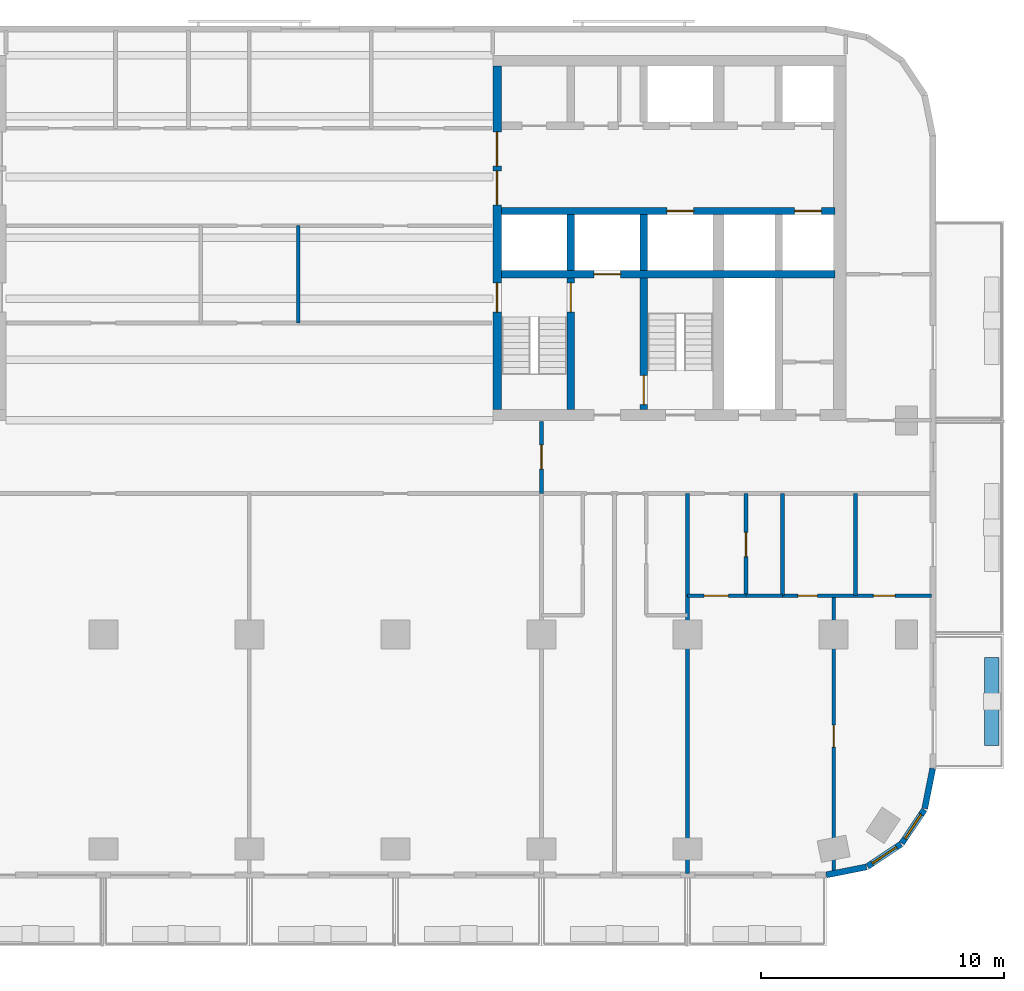
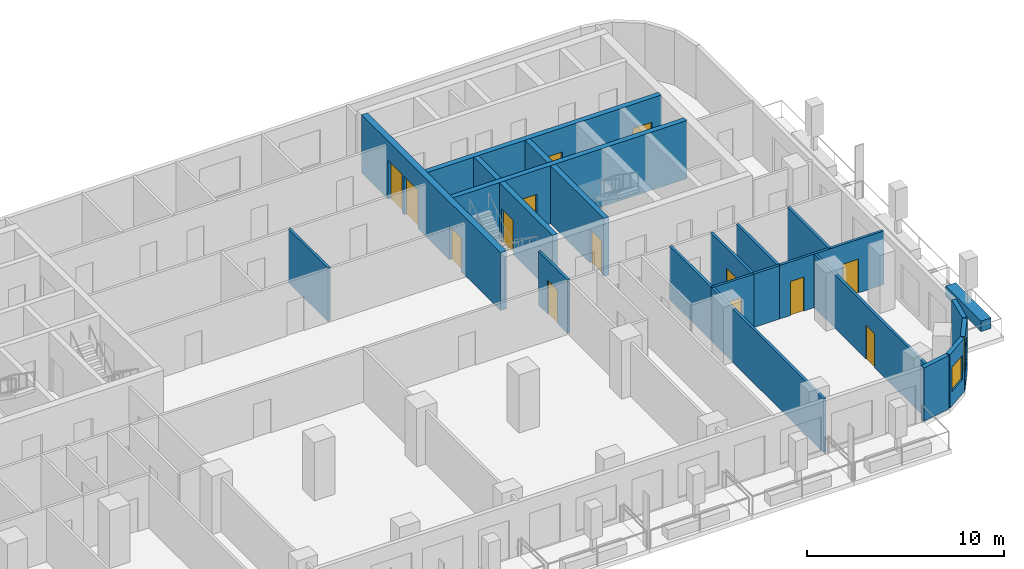
# One storey, part 5 of 11: 23 walls, 14 doors, 2 windows, 16 openings.
"""IFC4 building model written with IfcOpenShell, lengths in metres."""

from ifc_helpers import new_model, si_unit, direction, frame, frame_2d, origin, place, context, subcontext, project, spatial, rectangle, extrude, material, layer, layer_set, type_object, element, fill, save


model = new_model("IFC4")

# Units and contexts
model_context = context("Model", 3, precision=1e-05, world=origin(), true_north=direction((0.0, 1.0)))
body_context = subcontext(model_context, "Body", "Model", "MODEL_VIEW")
ifc_project = project(units=[si_unit("LENGTHUNIT", "METRE"), si_unit("AREAUNIT", "SQUARE_METRE"), si_unit("VOLUMEUNIT", "CUBIC_METRE"), si_unit("PLANEANGLEUNIT", "RADIAN"), si_unit("MASSUNIT", "GRAM", prefix="KILO")], contexts=[model_context])

# Site, building, storey
site_placement = place(None, origin())
site = spatial("IfcSite", under=ifc_project, at=site_placement, CompositionType="ELEMENT")
building_placement = place(site_placement, origin())
building = spatial("IfcBuilding", under=site, at=building_placement, Name="Torana Hotel and Residences", CompositionType="ELEMENT")
storey_placement = place(building_placement, frame((0.0, 0.0, 130.800048828125)))
storey = spatial("IfcBuildingStorey", under=building, at=storey_placement, Name="L33", CompositionType="ELEMENT", Elevation=130.800048828125)

# Wall, openings, doors
ifc_material_1 = material(Name="Concrete C70/85", Category="concrete")
ifc_layer_1 = layer(ifc_material_1, 0.300048828125)
ifc_layer_set_1 = layer_set([ifc_layer_1], Name="CORE WALL 300 C70/85")
wall_type_1 = type_object("IfcWallType", Name="CORE WALL 300 C70/85", PredefinedType="SHEAR", material=ifc_layer_set_1)
wall_1_placement = place(storey_placement, frame((10.35009765625, -6.39990234375, 0.0), z_axis=(0.0, 0.0, 1.0), x_axis=(1.0, 0.0, 0.0)))
wall_1 = element("IfcWall", 1, at=wall_1_placement, inside=storey, type_object=wall_type_1, Name="Core wall E row-S", PredefinedType="SHEAR", context=body_context, shape_type="SweptSolid", body=[
    extrude(rectangle(XDim=13.699951171875, YDim=0.300048828125, at=frame_2d((6.85009765625, 0.0))), origin(), (0.0, 0.0, 1.0), 3.599853515625),
])
opening_1_placement = place(wall_1_placement, frame((12.050048828125, 0.0, 0.0)))
opening_1 = element("IfcOpeningElement", 2, at=opening_1_placement, cuts=wall_1, Name="Opening LD", PredefinedType="OPENING", context=body_context, shape_type="SweptSolid", body=[
    extrude(rectangle(XDim=1.10009765625, YDim=2.10009765625, at=frame_2d((0.550048828125, 1.050048828125))), frame((0.0, 0.159912109375, 0.0), z_axis=(0.0, -1.0, 0.0), x_axis=(1.0, 0.0, 0.0)), (0.0, 0.0, 1.0), 0.320068359375),
])
opening_2_placement = place(wall_1_placement, frame((6.800048828125, 0.0, 0.0)))
opening_2 = element("IfcOpeningElement", 3, at=opening_2_placement, cuts=wall_1, Name="Opening LD", PredefinedType="OPENING", context=body_context, shape_type="SweptSolid", body=[
    extrude(rectangle(XDim=1.10009765625, YDim=2.10009765625, at=frame_2d((0.550048828125, 1.050048828125))), frame((0.0, 0.159912109375, 0.0), z_axis=(0.0, -1.0, 0.0), x_axis=(1.0, 0.0, 0.0)), (0.0, 0.0, 1.0), 0.320068359375),
])
ifc_material_2 = material(Name="Stainless steel 316", Category="steel")
door_type_1 = type_object("IfcDoorType", Name="LIFT LANDING DOOR LD 1100x2100", OperationType="DOUBLE_DOOR_SLIDING", PredefinedType="USERDEFINED", material=ifc_material_2)
door_1_placement = place(opening_1_placement, origin())
door_1 = element("IfcDoor", 4, at=door_1_placement, inside=storey, type_object=door_type_1, Name="Lift landing door M4 L33", ObjectType="LIFT LANDING DOOR", OperationType="DOUBLE_DOOR_SLIDING", OverallHeight=2.10009765625, OverallWidth=1.10009765625, PredefinedType="USERDEFINED", context=body_context, shape_type="SweptSolid", body=[
    extrude(rectangle(XDim=1.10009765625, YDim=2.10009765625, at=frame_2d((0.550048828125, 1.050048828125))), frame((0.0, 0.02490234375, 0.0), z_axis=(0.0, -1.0, 0.0), x_axis=(1.0, 0.0, 0.0)), (0.0, 0.0, 1.0), 0.050048828125),
])
fill(opening_1, door_1)
door_2_placement = place(opening_2_placement, origin())
door_2 = element("IfcDoor", 5, at=door_2_placement, inside=storey, type_object=door_type_1, Name="Lift landing door SV2 L33", ObjectType="LIFT LANDING DOOR", OperationType="DOUBLE_DOOR_SLIDING", OverallHeight=2.10009765625, OverallWidth=1.10009765625, PredefinedType="USERDEFINED", context=body_context, shape_type="SweptSolid", body=[
    extrude(rectangle(XDim=1.10009765625, YDim=2.10009765625, at=frame_2d((0.550048828125, 1.050048828125))), frame((0.0, 0.02490234375, 0.0), z_axis=(0.0, -1.0, 0.0), x_axis=(1.0, 0.0, 0.0)), (0.0, 0.0, 1.0), 0.050048828125),
])
fill(opening_2, door_2)

# Wall, opening, door
wall_2_placement = place(storey_placement, frame((10.35009765625, -9.0, 0.0), z_axis=(0.0, 0.0, 1.0), x_axis=(1.0, 0.0, 0.0)))
wall_2 = element("IfcWall", 6, at=wall_2_placement, inside=storey, type_object=wall_type_1, Name="Core wall E band", PredefinedType="SHEAR", context=body_context, shape_type="SweptSolid", body=[
    extrude(rectangle(XDim=13.699951171875, YDim=0.300048828125, at=frame_2d((6.85009765625, 0.0))), origin(), (0.0, 0.0, 1.0), 3.599853515625),
])
opening_3_placement = place(wall_2_placement, frame((3.800048828125, 0.0, 0.0)))
opening_3 = element("IfcOpeningElement", 7, at=opening_3_placement, cuts=wall_2, Name="Opening LD", PredefinedType="OPENING", context=body_context, shape_type="SweptSolid", body=[
    extrude(rectangle(XDim=1.10009765625, YDim=2.10009765625, at=frame_2d((0.550048828125, 1.050048828125))), frame((0.0, 0.159912109375, 0.0), z_axis=(0.0, -1.0, 0.0), x_axis=(1.0, 0.0, 0.0)), (0.0, 0.0, 1.0), 0.320068359375),
])
door_3_placement = place(opening_3_placement, origin())
door_3 = element("IfcDoor", 8, at=door_3_placement, inside=storey, type_object=door_type_1, Name="Lift landing door FF2 L33", ObjectType="LIFT LANDING DOOR", OperationType="DOUBLE_DOOR_SLIDING", OverallHeight=2.10009765625, OverallWidth=1.10009765625, PredefinedType="USERDEFINED", context=body_context, shape_type="SweptSolid", body=[
    extrude(rectangle(XDim=1.10009765625, YDim=2.10009765625, at=frame_2d((0.550048828125, 1.050048828125))), frame((0.0, 0.02490234375, 0.0), z_axis=(0.0, -1.0, 0.0), x_axis=(1.0, 0.0, 0.0)), (0.0, 0.0, 1.0), 0.050048828125),
])
fill(opening_3, door_3)

# Wall
wall_3_placement = place(storey_placement, frame((13.199951171875, -8.85009765625, 0.0), z_axis=(0.0, 0.0, 1.0), x_axis=(0.0, 1.0, 0.0)))
element("IfcWall", 9, at=wall_3_placement, inside=storey, type_object=wall_type_1, Name="Core wall E x3.05-S", PredefinedType="SHEAR", context=body_context, shape_type="SweptSolid", body=[
    extrude(rectangle(XDim=2.300048828125, YDim=0.300048828125, at=frame_2d((1.14990234375, 0.0))), origin(), (0.0, 0.0, 1.0), 3.599853515625),
])

# Wall, opening, door
wall_4_placement = place(storey_placement, frame((13.199951171875, -14.550048828125, 0.0), z_axis=(0.0, 0.0, 1.0), x_axis=(0.0, 1.0, 0.0)))
wall_4 = element("IfcWall", 10, at=wall_4_placement, inside=storey, type_object=wall_type_1, Name="Core wall E x3.05-band", PredefinedType="SHEAR", context=body_context, shape_type="SweptSolid", body=[
    extrude(rectangle(XDim=5.400146484375, YDim=0.300048828125, at=frame_2d((2.7001953125, 0.0))), origin(), (0.0, 0.0, 1.0), 3.599853515625),
])
opening_4_placement = place(wall_4_placement, frame((4.0, 0.0, 0.0)))
opening_4 = element("IfcOpeningElement", 11, at=opening_4_placement, cuts=wall_4, Name="Opening L33-27", PredefinedType="OPENING", context=body_context, shape_type="SweptSolid", body=[
    extrude(rectangle(XDim=1.199951171875, YDim=2.10009765625, at=frame_2d((0.60009765625, 1.050048828125))), frame((0.0, 0.159912109375, 0.0), z_axis=(0.0, -1.0, 0.0), x_axis=(1.0, 0.0, 0.0)), (0.0, 0.0, 1.0), 0.320068359375),
])
ifc_material_3 = material(Name="Steel S235", Category="steel")
door_type_2 = type_object("IfcDoorType", Name="STAIR FIRE DOOR D3 1200x2100", OperationType="SINGLE_SWING_LEFT", PredefinedType="DOOR", material=ifc_material_3)
door_4_placement = place(opening_4_placement, origin())
door_4 = element("IfcDoor", 12, at=door_4_placement, inside=storey, type_object=door_type_2, Name="Stair-A-lobby door L33", OperationType="SINGLE_SWING_LEFT", OverallHeight=2.10009765625, OverallWidth=1.199951171875, PredefinedType="DOOR", context=body_context, shape_type="SweptSolid", body=[
    extrude(rectangle(XDim=1.199951171875, YDim=2.10009765625, at=frame_2d((0.60009765625, 1.050048828125))), frame((0.0, 0.02490234375, 0.0), z_axis=(0.0, -1.0, 0.0), x_axis=(1.0, 0.0, 0.0)), (0.0, 0.0, 1.0), 0.050048828125),
])
fill(opening_4, door_4)

# Wall
wall_5_placement = place(storey_placement, frame((16.199951171875, -8.85009765625, 0.0), z_axis=(0.0, 0.0, 1.0), x_axis=(0.0, 1.0, 0.0)))
element("IfcWall", 13, at=wall_5_placement, inside=storey, type_object=wall_type_1, Name="Core wall E x6.05-S", PredefinedType="SHEAR", context=body_context, shape_type="SweptSolid", body=[
    extrude(rectangle(XDim=2.300048828125, YDim=0.300048828125, at=frame_2d((1.14990234375, 0.0))), origin(), (0.0, 0.0, 1.0), 3.599853515625),
])

# Wall, opening, door
wall_6_placement = place(storey_placement, frame((16.199951171875, -14.550048828125, 0.0), z_axis=(0.0, 0.0, 1.0), x_axis=(0.0, 1.0, 0.0)))
wall_6 = element("IfcWall", 14, at=wall_6_placement, inside=storey, type_object=wall_type_1, Name="Core wall E x6.05-band", PredefinedType="SHEAR", context=body_context, shape_type="SweptSolid", body=[
    extrude(rectangle(XDim=5.400146484375, YDim=0.300048828125, at=frame_2d((2.7001953125, 0.0))), origin(), (0.0, 0.0, 1.0), 3.599853515625),
])
opening_5_placement = place(wall_6_placement, frame((0.199951171875, 0.0, 0.0)))
opening_5 = element("IfcOpeningElement", 15, at=opening_5_placement, cuts=wall_6, Name="Opening L33-28", PredefinedType="OPENING", context=body_context, shape_type="SweptSolid", body=[
    extrude(rectangle(XDim=1.199951171875, YDim=2.10009765625, at=frame_2d((0.60009765625, 1.050048828125))), frame((0.0, 0.159912109375, 0.0), z_axis=(0.0, -1.0, 0.0), x_axis=(1.0, 0.0, 0.0)), (0.0, 0.0, 1.0), 0.320068359375),
])
door_5_placement = place(opening_5_placement, frame((0.60009765625, 0.0, 0.0), z_axis=(0.0, 0.0, 1.0), x_axis=(-1.0, 0.0, 0.0)))
door_5 = element("IfcDoor", 16, at=door_5_placement, inside=storey, type_object=door_type_2, Name="Stair-B-lobby door L33", OperationType="SINGLE_SWING_LEFT", OverallHeight=2.10009765625, OverallWidth=1.199951171875, PredefinedType="DOOR", context=body_context, shape_type="SweptSolid", body=[
    extrude(rectangle(XDim=1.199951171875, YDim=2.10009765625, at=frame_2d((0.0, 1.050048828125))), frame((0.0, -0.02490234375, 0.0), z_axis=(0.0, 1.0, 0.0), x_axis=(-1.0, 0.0, 0.0)), (0.0, 0.0, 1.0), 0.050048828125),
])
fill(opening_5, door_5)

# Wall, openings, doors
ifc_material_4 = material(Name="Concrete C70/85", Category="concrete")
ifc_layer_2 = layer(ifc_material_4, 0.35009765625)
ifc_layer_set_2 = layer_set([ifc_layer_2], Name="CORE WALL 350 C70/85")
wall_type_2 = type_object("IfcWallType", Name="CORE WALL 350 C70/85", PredefinedType="SHEAR", material=ifc_layer_set_2)
wall_7_placement = place(storey_placement, frame((10.175048828125, -14.550048828125, 0.0), z_axis=(0.0, 0.0, 1.0), x_axis=(0.0, 1.0, 0.0)))
wall_7 = element("IfcWall", 17, at=wall_7_placement, inside=storey, type_object=wall_type_2, Name="Core wall E arch", PredefinedType="SHEAR", context=body_context, shape_type="SweptSolid", body=[
    extrude(rectangle(XDim=14.10009765625, YDim=0.35009765625, at=frame_2d((7.050048828125, 0.0))), origin(), (0.0, 0.0, 1.0), 3.599853515625),
])
opening_6_placement = place(wall_7_placement, frame((8.39990234375, 0.0, 0.0)))
opening_6 = element("IfcOpeningElement", 18, at=opening_6_placement, cuts=wall_7, Name="Opening L33-15", PredefinedType="OPENING", context=body_context, shape_type="SweptSolid", body=[
    extrude(rectangle(XDim=1.39990234375, YDim=2.39990234375, at=frame_2d((0.699951171875, 1.199951171875))), frame((0.0, 0.18505859375, 0.0), z_axis=(0.0, -1.0, 0.0), x_axis=(1.0, 0.0, 0.0)), (0.0, 0.0, 1.0), 0.3701171875),
])
opening_7_placement = place(wall_7_placement, frame((10.0, 0.0, 0.0)))
opening_7 = element("IfcOpeningElement", 19, at=opening_7_placement, cuts=wall_7, Name="Opening L33-16", PredefinedType="OPENING", context=body_context, shape_type="SweptSolid", body=[
    extrude(rectangle(XDim=1.39990234375, YDim=2.39990234375, at=frame_2d((0.699951171875, 1.199951171875))), frame((0.0, 0.18505859375, 0.0), z_axis=(0.0, -1.0, 0.0), x_axis=(1.0, 0.0, 0.0)), (0.0, 0.0, 1.0), 0.3701171875),
])
opening_8_placement = place(wall_7_placement, frame((4.0, 0.0, 0.0)))
opening_8 = element("IfcOpeningElement", 20, at=opening_8_placement, cuts=wall_7, Name="Opening L33-17", PredefinedType="OPENING", context=body_context, shape_type="SweptSolid", body=[
    extrude(rectangle(XDim=1.199951171875, YDim=2.10009765625, at=frame_2d((0.60009765625, 1.050048828125))), frame((0.0, 0.18505859375, 0.0), z_axis=(0.0, -1.0, 0.0), x_axis=(1.0, 0.0, 0.0)), (0.0, 0.0, 1.0), 0.3701171875),
])
ifc_material_5 = material(Name="Steel S235", Category="steel")
door_type_3 = type_object("IfcDoorType", Name="LOBBY FIRE DOOR D4 1400x2400", OperationType="DOUBLE_DOOR_SINGLE_SWING", PredefinedType="DOOR", material=ifc_material_5)
door_6_placement = place(opening_6_placement, origin())
door_6 = element("IfcDoor", 21, at=door_6_placement, inside=storey, type_object=door_type_3, Name="Lobby-1 door L33", OperationType="DOUBLE_DOOR_SINGLE_SWING", OverallHeight=2.39990234375, OverallWidth=1.39990234375, PredefinedType="DOOR", context=body_context, shape_type="SweptSolid", body=[
    extrude(rectangle(XDim=1.39990234375, YDim=2.39990234375, at=frame_2d((0.699951171875, 1.199951171875))), frame((0.0, 0.02490234375, 0.0), z_axis=(0.0, -1.0, 0.0), x_axis=(1.0, 0.0, 0.0)), (0.0, 0.0, 1.0), 0.050048828125),
])
fill(opening_6, door_6)
door_7_placement = place(opening_7_placement, origin())
door_7 = element("IfcDoor", 22, at=door_7_placement, inside=storey, type_object=door_type_3, Name="Lobby-2 door L33", OperationType="DOUBLE_DOOR_SINGLE_SWING", OverallHeight=2.39990234375, OverallWidth=1.39990234375, PredefinedType="DOOR", context=body_context, shape_type="SweptSolid", body=[
    extrude(rectangle(XDim=1.39990234375, YDim=2.39990234375, at=frame_2d((0.699951171875, 1.199951171875))), frame((0.0, 0.02490234375, 0.0), z_axis=(0.0, -1.0, 0.0), x_axis=(1.0, 0.0, 0.0)), (0.0, 0.0, 1.0), 0.050048828125),
])
fill(opening_7, door_7)
door_8_placement = place(opening_8_placement, frame((0.60009765625, 0.0, 0.0), z_axis=(0.0, 0.0, 1.0), x_axis=(-1.0, 0.0, 0.0)))
door_8 = element("IfcDoor", 23, at=door_8_placement, inside=storey, type_object=door_type_2, Name="Stair-A door L33", OperationType="SINGLE_SWING_RIGHT", OverallHeight=2.10009765625, OverallWidth=1.199951171875, PredefinedType="DOOR", context=body_context, shape_type="SweptSolid", body=[
    extrude(rectangle(XDim=1.199951171875, YDim=2.10009765625, at=frame_2d((0.0, 1.050048828125))), frame((0.0, -0.02490234375, 0.0), z_axis=(0.0, 1.0, 0.0), x_axis=(-1.0, 0.0, 0.0)), (0.0, 0.0, 1.0), 0.050048828125),
])
fill(opening_8, door_8)

# Wall
ifc_material_6 = material(Name="Black aluminium composite panel", Category="aluminium")
ifc_layer_3 = layer(ifc_material_6, 0.00390625, Name="Cladding", Category="cladding")
ifc_material_7 = material(Name="Ventilated air cavity")
ifc_layer_4 = layer(ifc_material_7, 0.0400390625, Name="Ventilated cavity", Category="cavity")
ifc_material_8 = material(Name="Mineral wool insulation")
ifc_layer_5 = layer(ifc_material_8, 0.090087890625, Name="Insulation", Category="insulation")
ifc_material_9 = material(Name="Steel S280GD", Category="steel")
ifc_layer_6 = layer(ifc_material_9, 0.092041015625, Name="Steel stud frame", Category="structure")
ifc_material_10 = material(Name="Fire rated plasterboard")
ifc_layer_7 = layer(ifc_material_10, 0.011962890625, Name="Inner board", Category="finish")
ifc_layer_8 = layer(ifc_material_10, 0.011962890625, Name="Second board", Category="finish")
ifc_layer_set_3 = layer_set([ifc_layer_3, ifc_layer_4, ifc_layer_5, ifc_layer_6, ifc_layer_7, ifc_layer_8], Name="EW1 EXTERNAL WALL BLACK METAL CLAD 250")
wall_type_3 = type_object("IfcWallType", Name="EW1 EXTERNAL WALL BLACK METAL CLAD 250", PredefinedType="SOLIDWALL", material=ifc_layer_set_3)
wall_8_placement = place(storey_placement, frame((23.69970703125, -33.672607421875, 0.0), z_axis=(0.0, 0.0, 1.0), x_axis=(0.980775640221, 0.19513878023, 0.0)))
element("IfcWall", 24, at=wall_8_placement, inside=storey, type_object=wall_type_3, Name="External wall L33 e0.15", PredefinedType="SOLIDWALL", context=body_context, shape_type="SweptSolid", body=[
    extrude(rectangle(XDim=1.681396484375, YDim=0.25, at=frame_2d((0.8408203125, 0.0))), origin(), (0.0, 0.0, 1.0), 3.320068359375),
])

# Wall, opening, window
wall_9_placement = place(storey_placement, frame((25.39404296875, -33.325927734375, 0.0), z_axis=(0.0, 0.0, 1.0), x_axis=(0.831482937015, 0.55555029066, 0.0)))
wall_9 = element("IfcWall", 25, at=wall_9_placement, inside=storey, type_object=wall_type_3, Name="External wall L33 e0.16", PredefinedType="SOLIDWALL", context=body_context, shape_type="SweptSolid", body=[
    extrude(rectangle(XDim=1.65625, YDim=0.25, at=frame_2d((0.828125, 0.0))), origin(), (0.0, 0.0, 1.0), 3.320068359375),
])
opening_9_placement = place(wall_9_placement, frame((0.228271484375, 0.0, 0.89990234375)))
opening_9 = element("IfcOpeningElement", 26, at=opening_9_placement, cuts=wall_9, Name="Opening W5", PredefinedType="OPENING", context=body_context, shape_type="SweptSolid", body=[
    extrude(rectangle(XDim=1.199951171875, YDim=1.5, at=frame_2d((0.60009765625, 0.75))), frame((0.0, 0.135009765625, 0.0), z_axis=(0.0, -1.0, 0.0), x_axis=(1.0, 0.0, 0.0)), (0.0, 0.0, 1.0), 0.27001953125),
])
ifc_material_11 = material(Name="Dark glass in black aluminium frame", Category="aluminium")
window_type = type_object("IfcWindowType", Name="W5 CORNER FACET WINDOW 1200x1500", PartitioningType="SINGLE_PANEL", PredefinedType="WINDOW", material=ifc_material_11)
window_1_placement = place(opening_9_placement, origin())
window_1 = element("IfcWindow", 27, at=window_1_placement, inside=storey, type_object=window_type, Name="Window L33 e0.16", OverallHeight=1.5, OverallWidth=1.199951171875, PartitioningType="SINGLE_PANEL", PredefinedType="WINDOW", context=body_context, shape_type="SweptSolid", body=[
    extrude(rectangle(XDim=1.199951171875, YDim=1.5, at=frame_2d((0.60009765625, 0.75))), frame((0.0, 0.030029296875, 0.0), z_axis=(0.0, -1.0, 0.0), x_axis=(1.0, 0.0, 0.0)), (0.0, 0.0, 1.0), 0.06005859375),
])
fill(opening_9, window_1)

wall_10_placement = place(storey_placement, frame((26.8056640625, -32.37109375, 0.0), z_axis=(0.0, 0.0, 1.0), x_axis=(0.55555029066, 0.831482937015, 0.0)))
wall_10 = element("IfcWall", 28, at=wall_10_placement, inside=storey, type_object=wall_type_3, Name="External wall L33 e0.17", PredefinedType="SOLIDWALL", context=body_context, shape_type="SweptSolid", body=[
    extrude(rectangle(XDim=1.65625, YDim=0.25, at=frame_2d((0.828125, 0.0))), origin(), (0.0, 0.0, 1.0), 3.320068359375),
])
opening_10_placement = place(wall_10_placement, frame((0.228271484375, 0.0, 0.89990234375)))
opening_10 = element("IfcOpeningElement", 29, at=opening_10_placement, cuts=wall_10, Name="Opening W5", PredefinedType="OPENING", context=body_context, shape_type="SweptSolid", body=[
    extrude(rectangle(XDim=1.199951171875, YDim=1.5, at=frame_2d((0.60009765625, 0.75))), frame((0.0, 0.135009765625, 0.0), z_axis=(0.0, -1.0, 0.0), x_axis=(1.0, 0.0, 0.0)), (0.0, 0.0, 1.0), 0.27001953125),
])
window_2_placement = place(opening_10_placement, origin())
window_2 = element("IfcWindow", 30, at=window_2_placement, inside=storey, type_object=window_type, Name="Window L33 e0.17", OverallHeight=1.5, OverallWidth=1.199951171875, PartitioningType="SINGLE_PANEL", PredefinedType="WINDOW", context=body_context, shape_type="SweptSolid", body=[
    extrude(rectangle(XDim=1.199951171875, YDim=1.5, at=frame_2d((0.60009765625, 0.75))), frame((0.0, 0.030029296875, 0.0), z_axis=(0.0, -1.0, 0.0), x_axis=(1.0, 0.0, 0.0)), (0.0, 0.0, 1.0), 0.06005859375),
])
fill(opening_10, window_2)

# Wall
wall_11_placement = place(storey_placement, frame((27.74462890625, -30.948974609375, 0.0), z_axis=(0.0, 0.0, 1.0), x_axis=(0.194999110559, 0.980803419081, 0.0)))
element("IfcWall", 31, at=wall_11_placement, inside=storey, type_object=wall_type_3, Name="External wall L33 e0.18", PredefinedType="SOLIDWALL", context=body_context, shape_type="SweptSolid", body=[
    extrude(rectangle(XDim=1.681396484375, YDim=0.25, at=frame_2d((0.8408203125, 0.0))), origin(), (0.0, 0.0, 1.0), 3.320068359375),
])

# Wall, opening, door
ifc_material_12 = material(Name="Gypsum plaster")
ifc_layer_9 = layer(ifc_material_12, 0.014892578125, Name="Plaster", Category="finish")
ifc_material_13 = material(Name="Concrete blockwork", Category="masonry")
ifc_layer_10 = layer(ifc_material_13, 0.1201171875, Name="Blockwork", Category="structure")
ifc_layer_11 = layer(ifc_material_12, 0.014892578125, Name="Plaster", Category="finish")
ifc_layer_set_4 = layer_set([ifc_layer_9, ifc_layer_10, ifc_layer_11], Name="FIRE PARTITION 150 BLOCKWORK")
wall_type_4 = type_object("IfcWallType", Name="FIRE PARTITION 150 BLOCKWORK", PredefinedType="PARTITIONING", material=ifc_layer_set_4)
wall_12_placement = place(storey_placement, frame((20.39990234375, -22.199951171875, 0.0), z_axis=(0.0, 0.0, 1.0), x_axis=(0.0, 1.0, 0.0)))
wall_12 = element("IfcWall", 32, at=wall_12_placement, inside=storey, type_object=wall_type_4, Name="Partition L33", PredefinedType="PARTITIONING", context=body_context, shape_type="SweptSolid", body=[
    extrude(rectangle(XDim=4.199951171875, YDim=0.14990234375, at=frame_2d((2.10009765625, 0.0))), origin(), (0.0, 0.0, 1.0), 3.320068359375),
])
opening_11_placement = place(wall_12_placement, frame((1.60009765625, 0.0, 0.0)))
opening_11 = element("IfcOpeningElement", 33, at=opening_11_placement, cuts=wall_12, Name="Opening L33-59", PredefinedType="OPENING", context=body_context, shape_type="SweptSolid", body=[
    extrude(rectangle(XDim=1.0, YDim=2.10009765625, at=frame_2d((0.5, 1.050048828125))), frame((0.0, 0.0849609375, 0.0), z_axis=(0.0, -1.0, 0.0), x_axis=(1.0, 0.0, 0.0)), (0.0, 0.0, 1.0), 0.169921875),
])
ifc_material_14 = material(Name="Steel S235", Category="steel")
door_type_4 = type_object("IfcDoorType", Name="ENTRY FIRE DOOR D6 1000x2100", OperationType="SINGLE_SWING_LEFT", PredefinedType="DOOR", material=ifc_material_14)
door_9_placement = place(opening_11_placement, frame((0.5, 0.0, 0.0), z_axis=(0.0, 0.0, 1.0), x_axis=(-1.0, 0.0, 0.0)))
door_9 = element("IfcDoor", 34, at=door_9_placement, inside=storey, type_object=door_type_4, Name="Door L33", OperationType="SINGLE_SWING_LEFT", OverallHeight=2.10009765625, OverallWidth=1.0, PredefinedType="DOOR", context=body_context, shape_type="SweptSolid", body=[
    extrude(rectangle(XDim=1.0, YDim=2.10009765625, at=frame_2d((0.0, 1.050048828125))), frame((0.0, -0.02490234375, 0.0), z_axis=(0.0, 1.0, 0.0), x_axis=(-1.0, 0.0, 0.0)), (0.0, 0.0, 1.0), 0.050048828125),
])
fill(opening_11, door_9)

# Wall
wall_13_placement = place(storey_placement, frame((18.0, -22.199951171875, 0.0), z_axis=(0.0, 0.0, 1.0), x_axis=(0.0, 1.0, 0.0)))
element("IfcWall", 35, at=wall_13_placement, inside=storey, type_object=wall_type_4, Name="Partition L33", PredefinedType="PARTITIONING", context=body_context, shape_type="SweptSolid", body=[
    extrude(rectangle(XDim=4.199951171875, YDim=0.14990234375, at=frame_2d((2.10009765625, 0.0))), origin(), (0.0, 0.0, 1.0), 3.320068359375),
])

# Wall, opening, door
wall_14_placement = place(storey_placement, frame((12.0, -18.0, 0.0), z_axis=(0.0, 0.0, 1.0), x_axis=(0.0, 1.0, 0.0)))
wall_14 = element("IfcWall", 36, at=wall_14_placement, inside=storey, type_object=wall_type_4, Name="Partition L33", PredefinedType="PARTITIONING", context=body_context, shape_type="SweptSolid", body=[
    extrude(rectangle(XDim=2.949951171875, YDim=0.14990234375, at=frame_2d((1.47509765625, 0.0))), origin(), (0.0, 0.0, 1.0), 3.320068359375),
])
opening_12_placement = place(wall_14_placement, frame((1.0, 0.0, 0.0)))
opening_12 = element("IfcOpeningElement", 37, at=opening_12_placement, cuts=wall_14, Name="Opening L33-35", PredefinedType="OPENING", context=body_context, shape_type="SweptSolid", body=[
    extrude(rectangle(XDim=1.0, YDim=2.10009765625, at=frame_2d((0.5, 1.050048828125))), frame((0.0, 0.0849609375, 0.0), z_axis=(0.0, -1.0, 0.0), x_axis=(1.0, 0.0, 0.0)), (0.0, 0.0, 1.0), 0.169921875),
])
door_10_placement = place(opening_12_placement, origin())
door_10 = element("IfcDoor", 38, at=door_10_placement, inside=storey, type_object=door_type_4, Name="Door L33", OperationType="SINGLE_SWING_RIGHT", OverallHeight=2.10009765625, OverallWidth=1.0, PredefinedType="DOOR", context=body_context, shape_type="SweptSolid", body=[
    extrude(rectangle(XDim=1.0, YDim=2.10009765625, at=frame_2d((0.5, 1.050048828125))), frame((0.0, 0.02490234375, 0.0), z_axis=(0.0, -1.0, 0.0), x_axis=(1.0, 0.0, 0.0)), (0.0, 0.0, 1.0), 0.050048828125),
])
fill(opening_12, door_10)

# Wall
wall_15_placement = place(storey_placement, frame((2.0, -11.0, 0.0), z_axis=(0.0, 0.0, 1.0), x_axis=(0.0, 1.0, 0.0)))
element("IfcWall", 39, at=wall_15_placement, inside=storey, type_object=wall_type_4, Name="Partition L33", PredefinedType="PARTITIONING", context=body_context, shape_type="SweptSolid", body=[
    extrude(rectangle(XDim=4.0, YDim=0.14990234375, at=frame_2d((2.0, 0.0))), origin(), (0.0, 0.0, 1.0), 3.320068359375),
])

# Wall, opening, door
wall_16_placement = place(storey_placement, frame((18.0, -22.199951171875, 0.0), z_axis=(0.0, 0.0, 1.0), x_axis=(1.0, 0.0, 0.0)))
wall_16 = element("IfcWall", 40, at=wall_16_placement, inside=storey, type_object=wall_type_4, Name="Partition L33", PredefinedType="PARTITIONING", context=body_context, shape_type="SweptSolid", body=[
    extrude(rectangle(XDim=2.39990234375, YDim=0.14990234375, at=frame_2d((1.199951171875, 0.0))), origin(), (0.0, 0.0, 1.0), 3.320068359375),
])
opening_13_placement = place(wall_16_placement, frame((0.679931640625, 0.0, 0.0)))
opening_13 = element("IfcOpeningElement", 41, at=opening_13_placement, cuts=wall_16, Name="Opening L33-60", PredefinedType="OPENING", context=body_context, shape_type="SweptSolid", body=[
    extrude(rectangle(XDim=1.0, YDim=2.10009765625, at=frame_2d((0.5, 1.050048828125))), frame((0.0, 0.0849609375, 0.0), z_axis=(0.0, -1.0, 0.0), x_axis=(1.0, 0.0, 0.0)), (0.0, 0.0, 1.0), 0.169921875),
])
door_11_placement = place(opening_13_placement, frame((0.5, 0.0, 0.0), z_axis=(0.0, 0.0, 1.0), x_axis=(-1.0, 0.0, 0.0)))
door_11 = element("IfcDoor", 42, at=door_11_placement, inside=storey, type_object=door_type_4, Name="Door L33", OperationType="SINGLE_SWING_LEFT", OverallHeight=2.10009765625, OverallWidth=1.0, PredefinedType="DOOR", context=body_context, shape_type="SweptSolid", body=[
    extrude(rectangle(XDim=1.0, YDim=2.10009765625, at=frame_2d((0.0, 1.050048828125))), frame((0.0, -0.02490234375, 0.0), z_axis=(0.0, 1.0, 0.0), x_axis=(-1.0, 0.0, 0.0)), (0.0, 0.0, 1.0), 0.050048828125),
])
fill(opening_13, door_11)

# Wall
ifc_material_15 = material(Name="Gypsum plasterboard")
ifc_layer_12 = layer(ifc_material_15, 0.012451171875, Name="Plasterboard", Category="finish")
ifc_layer_13 = layer(ifc_material_15, 0.012451171875, Name="Plasterboard", Category="finish")
ifc_layer_14 = layer(ifc_material_9, 0.10009765625, Name="Steel studs with mineral wool", Category="insulation")
ifc_layer_15 = layer(ifc_material_15, 0.012451171875, Name="Plasterboard", Category="finish")
ifc_layer_16 = layer(ifc_material_15, 0.012451171875, Name="Plasterboard", Category="finish")
ifc_layer_set_5 = layer_set([ifc_layer_12, ifc_layer_13, ifc_layer_14, ifc_layer_15, ifc_layer_16], Name="PARTITION 150 PLASTERBOARD")
wall_type_5 = type_object("IfcWallType", Name="PARTITION 150 PLASTERBOARD", PredefinedType="PARTITIONING", material=ifc_layer_set_5)
wall_17_placement = place(storey_placement, frame((24.89990234375, -22.199951171875, 0.0), z_axis=(0.0, 0.0, 1.0), x_axis=(0.0, 1.0, 0.0)))
element("IfcWall", 43, at=wall_17_placement, inside=storey, type_object=wall_type_5, Name="Partition L33", PredefinedType="PARTITIONING", context=body_context, shape_type="SweptSolid", body=[
    extrude(rectangle(XDim=4.199951171875, YDim=0.14990234375, at=frame_2d((2.10009765625, 0.0))), origin(), (0.0, 0.0, 1.0), 3.320068359375),
])

# Wall, opening, door
wall_18_placement = place(storey_placement, frame((24.0, -33.556884765625, 0.0), z_axis=(0.0, 0.0, 1.0), x_axis=(0.0, 1.0, 0.0)))
wall_18 = element("IfcWall", 44, at=wall_18_placement, inside=storey, type_object=wall_type_5, Name="Partition L33", PredefinedType="PARTITIONING", context=body_context, shape_type="SweptSolid", body=[
    extrude(rectangle(XDim=11.35693359375, YDim=0.14990234375, at=frame_2d((5.678466796875, 0.0))), origin(), (0.0, 0.0, 1.0), 3.320068359375),
])
opening_14_placement = place(wall_18_placement, frame((5.13671875, 0.0, 0.0)))
opening_14 = element("IfcOpeningElement", 45, at=opening_14_placement, cuts=wall_18, Name="Opening L33-63", PredefinedType="OPENING", context=body_context, shape_type="SweptSolid", body=[
    extrude(rectangle(XDim=0.89990234375, YDim=2.10009765625, at=frame_2d((0.449951171875, 1.050048828125))), frame((0.0, 0.0849609375, 0.0), z_axis=(0.0, -1.0, 0.0), x_axis=(1.0, 0.0, 0.0)), (0.0, 0.0, 1.0), 0.169921875),
])
ifc_material_16 = material(Name="Timber door, oiled ash", Category="wood")
door_type_5 = type_object("IfcDoorType", Name="ROOM DOOR D7 900x2100", OperationType="SINGLE_SWING_LEFT", PredefinedType="DOOR", material=ifc_material_16)
door_12_placement = place(opening_14_placement, origin())
door_12 = element("IfcDoor", 46, at=door_12_placement, inside=storey, type_object=door_type_5, Name="Door L33", OperationType="SINGLE_SWING_RIGHT", OverallHeight=2.10009765625, OverallWidth=0.89990234375, PredefinedType="DOOR", context=body_context, shape_type="SweptSolid", body=[
    extrude(rectangle(XDim=0.89990234375, YDim=2.10009765625, at=frame_2d((0.449951171875, 1.050048828125))), frame((0.0, 0.02490234375, 0.0), z_axis=(0.0, -1.0, 0.0), x_axis=(1.0, 0.0, 0.0)), (0.0, 0.0, 1.0), 0.050048828125),
])
fill(opening_14, door_12)

# Wall
wall_19_placement = place(storey_placement, frame((18.0, -33.6201171875, 0.0), z_axis=(0.0, 0.0, 1.0), x_axis=(0.0, 1.0, 0.0)))
element("IfcWall", 47, at=wall_19_placement, inside=storey, type_object=wall_type_5, Name="Partition L33", PredefinedType="PARTITIONING", context=body_context, shape_type="SweptSolid", body=[
    extrude(rectangle(XDim=11.420166015625, YDim=0.14990234375, at=frame_2d((5.7099609375, 0.0))), origin(), (0.0, 0.0, 1.0), 3.320068359375),
])

# Wall, openings, doors
wall_20_placement = place(storey_placement, frame((21.89990234375, -22.199951171875, 0.0), z_axis=(0.0, 0.0, 1.0), x_axis=(1.0, 0.0, 0.0)))
wall_20 = element("IfcWall", 48, at=wall_20_placement, inside=storey, type_object=wall_type_5, Name="Partition L33", PredefinedType="PARTITIONING", context=body_context, shape_type="SweptSolid", body=[
    extrude(rectangle(XDim=6.1201171875, YDim=0.14990234375, at=frame_2d((3.06005859375, 0.0))), origin(), (0.0, 0.0, 1.0), 3.320068359375),
])
opening_15_placement = place(wall_20_placement, frame((0.6298828125, 0.0, 0.0)))
opening_15 = element("IfcOpeningElement", 49, at=opening_15_placement, cuts=wall_20, Name="Opening L33-61", PredefinedType="OPENING", context=body_context, shape_type="SweptSolid", body=[
    extrude(rectangle(XDim=0.800048828125, YDim=2.10009765625, at=frame_2d((0.39990234375, 1.050048828125))), frame((0.0, 0.0849609375, 0.0), z_axis=(0.0, -1.0, 0.0), x_axis=(1.0, 0.0, 0.0)), (0.0, 0.0, 1.0), 0.169921875),
])
opening_16_placement = place(wall_20_placement, frame((3.72998046875, 0.0, 0.0)))
opening_16 = element("IfcOpeningElement", 50, at=opening_16_placement, cuts=wall_20, Name="Opening L33-62", PredefinedType="OPENING", context=body_context, shape_type="SweptSolid", body=[
    extrude(rectangle(XDim=0.89990234375, YDim=2.10009765625, at=frame_2d((0.449951171875, 1.050048828125))), frame((0.0, 0.0849609375, 0.0), z_axis=(0.0, -1.0, 0.0), x_axis=(1.0, 0.0, 0.0)), (0.0, 0.0, 1.0), 0.169921875),
])
ifc_material_17 = material(Name="Timber door, painted", Category="wood")
door_type_6 = type_object("IfcDoorType", Name="BATH DOOR D13 800x2100", OperationType="SINGLE_SWING_LEFT", PredefinedType="DOOR", material=ifc_material_17)
door_13_placement = place(opening_15_placement, origin())
door_13 = element("IfcDoor", 51, at=door_13_placement, inside=storey, type_object=door_type_6, Name="Door L33", OperationType="SINGLE_SWING_RIGHT", OverallHeight=2.10009765625, OverallWidth=0.800048828125, PredefinedType="DOOR", context=body_context, shape_type="SweptSolid", body=[
    extrude(rectangle(XDim=0.800048828125, YDim=2.10009765625, at=frame_2d((0.39990234375, 1.050048828125))), frame((0.0, 0.02490234375, 0.0), z_axis=(0.0, -1.0, 0.0), x_axis=(1.0, 0.0, 0.0)), (0.0, 0.0, 1.0), 0.050048828125),
])
fill(opening_15, door_13)
door_14_placement = place(opening_16_placement, origin())
door_14 = element("IfcDoor", 52, at=door_14_placement, inside=storey, type_object=door_type_5, Name="Door L33", OperationType="SINGLE_SWING_RIGHT", OverallHeight=2.10009765625, OverallWidth=0.89990234375, PredefinedType="DOOR", context=body_context, shape_type="SweptSolid", body=[
    extrude(rectangle(XDim=0.89990234375, YDim=2.10009765625, at=frame_2d((0.449951171875, 1.050048828125))), frame((0.0, 0.02490234375, 0.0), z_axis=(0.0, -1.0, 0.0), x_axis=(1.0, 0.0, 0.0)), (0.0, 0.0, 1.0), 0.050048828125),
])
fill(opening_16, door_14)

# Walls
ifc_material_18 = material(Name="Concrete C40/50 precast", Category="concrete")
ifc_layer_17 = layer(ifc_material_18, 0.10009765625, Name="Planter shell", Category="structure")
ifc_material_19 = material(Name="Root resistant membrane")
ifc_layer_18 = layer(ifc_material_19, 0.00390625, Name="Waterproofing membrane", Category="membrane")
ifc_material_20 = material(Name="Drainage board with filter fleece")
ifc_layer_19 = layer(ifc_material_20, 0.02001953125, Name="Drainage board", Category="drainage")
ifc_material_21 = material(Name="Growing medium")
ifc_layer_20 = layer(ifc_material_21, 0.47607421875, Name="Planting substrate", Category="soil")
ifc_layer_set_6 = layer_set([ifc_layer_17, ifc_layer_18, ifc_layer_19, ifc_layer_20], Name="PL1 BALCONY PLANTER 600")
wall_type_6 = type_object("IfcWallType", Name="PL1 BALCONY PLANTER 600", PredefinedType="USERDEFINED", material=ifc_layer_set_6)
wall_21_placement = place(storey_placement, frame((30.5, -24.75, 0.0), z_axis=(0.0, 0.0, 1.0), x_axis=(0.0, -1.0, 0.0)))
element("IfcWall", 53, at=wall_21_placement, inside=storey, type_object=wall_type_6, Name="Planter 12", ObjectType="PLANTER", PredefinedType="USERDEFINED", context=body_context, shape_type="SweptSolid", body=[
    extrude(rectangle(XDim=3.60009765625, YDim=0.60009765625, at=frame_2d((1.800048828125, 0.0))), origin(), (0.0, 0.0, 1.0), 0.64990234375),
])
ifc_material_22 = material(Name="Ceramic tile on adhesive")
ifc_layer_21 = layer(ifc_material_22, 0.010009765625, Name="Wall tile", Category="finish")
ifc_material_23 = material(Name="Cement render")
ifc_layer_22 = layer(ifc_material_23, 0.010009765625, Name="Render", Category="finish")
ifc_layer_23 = layer(ifc_material_13, 0.110107421875, Name="Blockwork", Category="structure")
ifc_layer_24 = layer(ifc_material_23, 0.010009765625, Name="Render", Category="finish")
ifc_layer_25 = layer(ifc_material_22, 0.010009765625, Name="Wall tile", Category="finish")
ifc_layer_set_7 = layer_set([ifc_layer_21, ifc_layer_22, ifc_layer_23, ifc_layer_24, ifc_layer_25], Name="WC PARTITION 150")
wall_type_7 = type_object("IfcWallType", Name="WC PARTITION 150", PredefinedType="PLUMBINGWALL", material=ifc_layer_set_7)
wall_22_placement = place(storey_placement, frame((21.89990234375, -22.199951171875, 0.0), z_axis=(0.0, 0.0, 1.0), x_axis=(0.0, 1.0, 0.0)))
element("IfcWall", 54, at=wall_22_placement, inside=storey, type_object=wall_type_7, Name="Partition L33", PredefinedType="PLUMBINGWALL", context=body_context, shape_type="SweptSolid", body=[
    extrude(rectangle(XDim=4.199951171875, YDim=0.14990234375, at=frame_2d((2.10009765625, 0.0))), origin(), (0.0, 0.0, 1.0), 3.320068359375),
])
wall_23_placement = place(storey_placement, frame((20.39990234375, -22.199951171875, 0.0), z_axis=(0.0, 0.0, 1.0), x_axis=(1.0, 0.0, 0.0)))
element("IfcWall", 55, at=wall_23_placement, inside=storey, type_object=wall_type_7, Name="Partition L33", PredefinedType="PLUMBINGWALL", context=body_context, shape_type="SweptSolid", body=[
    extrude(rectangle(XDim=1.5, YDim=0.14990234375, at=frame_2d((0.75, 0.0))), origin(), (0.0, 0.0, 1.0), 3.320068359375),
])

save(model, "model.ifc")
